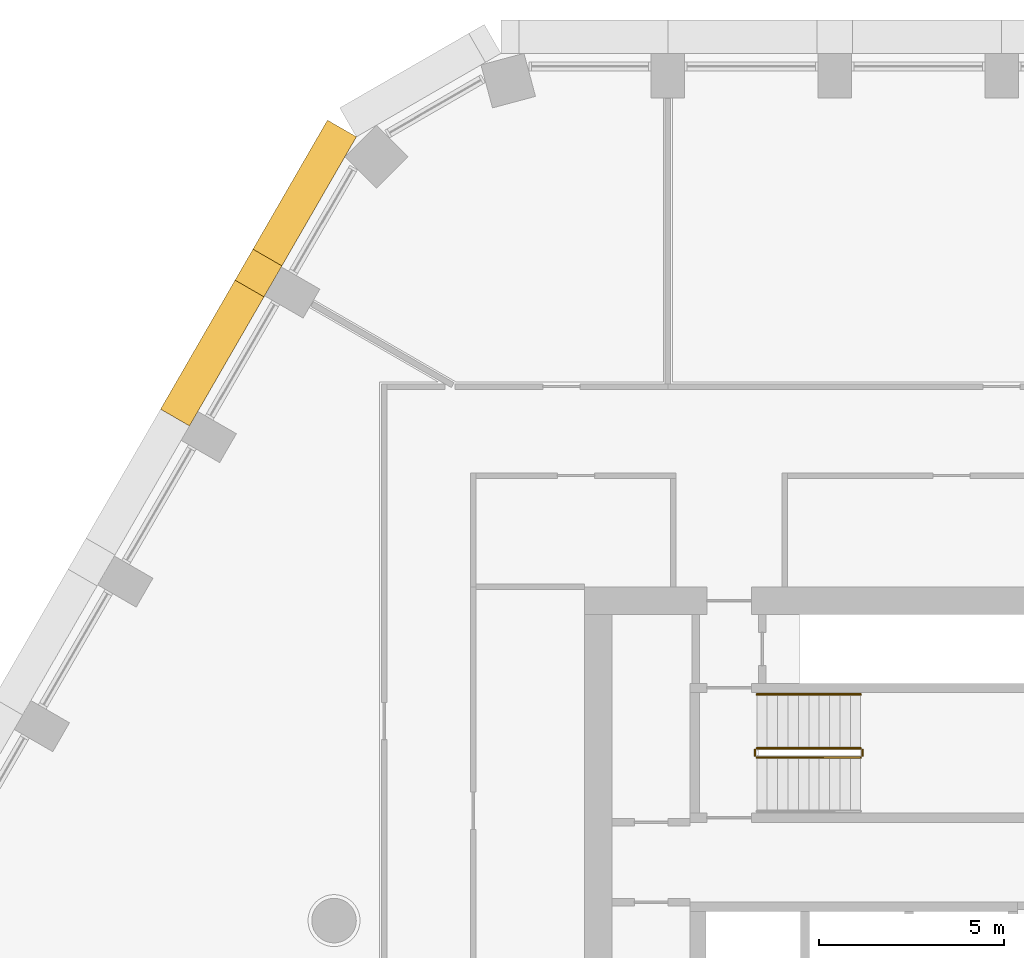
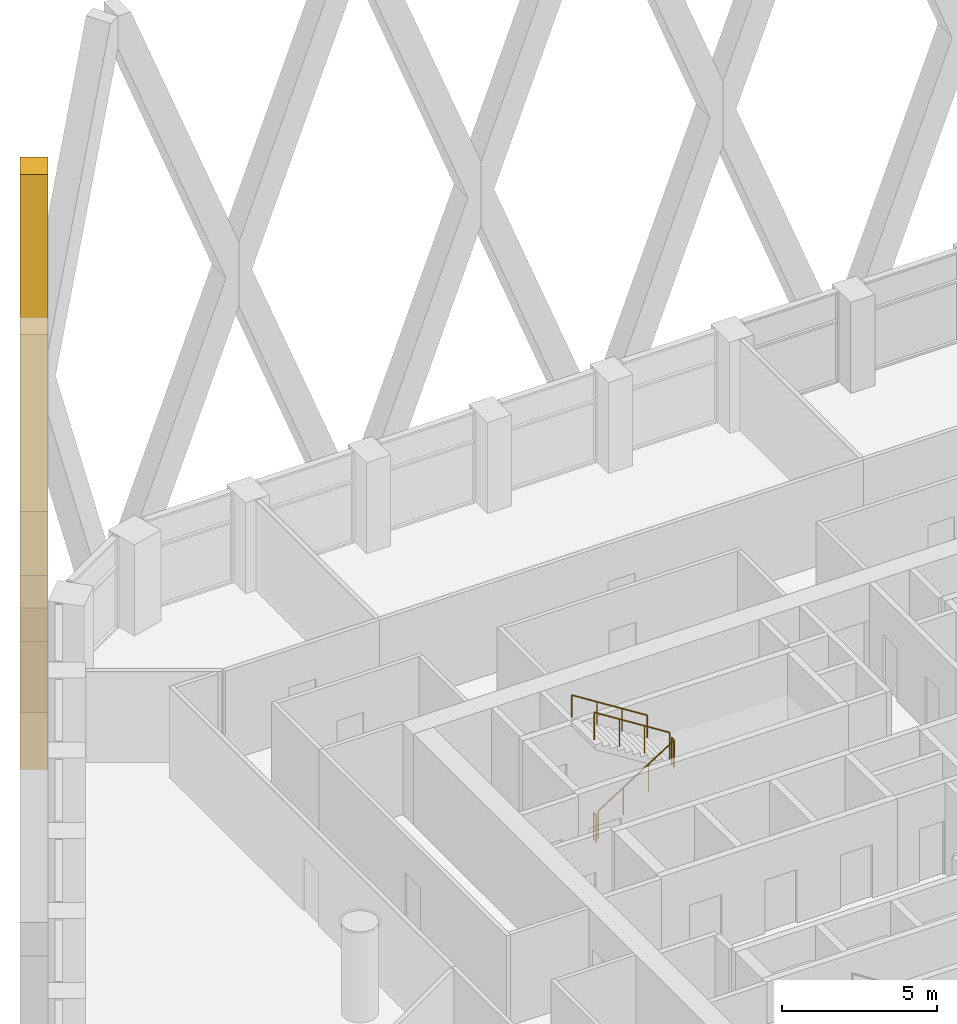
# One storey, part 20 of 24: 5 railings, 1 covering.
"""IFC4 building model written with IfcOpenShell, lengths in metres."""

from ifc_helpers import new_model, si_unit, direction, frame, origin, origin_2d, place, context, subcontext, project, spatial, polyline, circle, outline, extrude, material, type_object, element, save


model = new_model("IFC4")

# Units and contexts
model_context = context("Model", 3, precision=1e-05, world=origin(), true_north=direction((0.0, 1.0)))
body_context = subcontext(model_context, "Body", "Model", "MODEL_VIEW")
ifc_project = project(units=[si_unit("LENGTHUNIT", "METRE"), si_unit("AREAUNIT", "SQUARE_METRE"), si_unit("VOLUMEUNIT", "CUBIC_METRE"), si_unit("PLANEANGLEUNIT", "RADIAN"), si_unit("MASSUNIT", "GRAM", prefix="KILO")], contexts=[model_context])

# Site, building, storey
site_placement = place(None, origin())
site = spatial("IfcSite", under=ifc_project, at=site_placement, CompositionType="ELEMENT")
building_placement = place(site_placement, origin())
building = spatial("IfcBuilding", under=site, at=building_placement, Name="Dhurran Vertical Campus", CompositionType="ELEMENT")
storey_placement = place(building_placement, frame((0.0, 0.0, 132.60009765625)))
storey = spatial("IfcBuildingStorey", under=building, at=storey_placement, Name="L32", CompositionType="ELEMENT", Elevation=132.60009765625)

# Covering
ifc_material_1 = material(Name="Precast concrete C50/60", Category="concrete")
covering_type = type_object("IfcCoveringType", Name="Folded precast fin lattice diamond", PredefinedType="USERDEFINED", material=ifc_material_1)
covering_placement = place(storey_placement, frame((-21.897216796875, 25.6328125, 0.0), z_axis=(-0.866013897511, 0.50001992892, 0.0), x_axis=(-0.50001992892, -0.866013897511, 0.0)))
element("IfcCovering", 1, at=covering_placement, inside=storey, type_object=covering_type, Name="FN1 L32.021", ObjectType="FIN", PredefinedType="USERDEFINED", context=body_context, shape_type="SweptSolid", body=[
    extrude(outline(polyline([(9.0, 12.95361328125), (9.0, 10.4462890625), (4.982177734375, 0.0), (4.017822265625, 0.0), (0.0, 10.4462890625), (0.0, 12.95361328125), (4.017822265625, 23.39990234375), (4.982177734375, 23.39990234375), (9.0, 12.95361328125)]), holes=[polyline([(8.517822265625, 11.699951171875), (4.5, 22.146484375), (0.482177734375, 11.699951171875), (4.5, 1.253662109375), (8.517822265625, 11.699951171875)])]), origin(), (0.0, 0.0, 1.0), 0.89990234375),
])

# Railings
ifc_material_2 = material(Name="Stainless steel balustrade", Category="steel")
railing_type_1 = type_object("IfcRailingType", Name="co-RL-GUARD-1100", PredefinedType="GUARDRAIL", material=ifc_material_2)
railing_1_placement = place(storey_placement, frame((-11.10009765625, 8.89990234375, 0.17724609375)))
element("IfcRailing", 2, at=railing_1_placement, inside=storey, type_object=railing_type_1, Name="L32 ST1 stair guard 1", PredefinedType="GUARDRAIL", context=body_context, shape_type="SweptSolid", body=[
    extrude(circle(Radius=0.02392578125, at=origin_2d()), frame((0.0, 0.0, 1.076171875), z_axis=(0.844908973607, 0.0, 0.534910110503), x_axis=(0.0, 1.0, 0.0)), (0.0, 0.0, 1.0), 3.31396484375),
    extrude(circle(Radius=0.02099609375, at=origin_2d()), origin(), (0.0, 0.0, 1.0), 1.052001953125),
    extrude(circle(Radius=0.02099609375, at=origin_2d()), frame((0.933349609375, 0.0, 0.5908203125)), (0.0, 0.0, 1.0), 1.052001953125),
    extrude(circle(Radius=0.02099609375, at=origin_2d()), frame((1.86669921875, 0.0, 1.181884765625)), (0.0, 0.0, 1.0), 1.052001953125),
    extrude(circle(Radius=0.02099609375, at=origin_2d()), frame((2.800048828125, 0.0, 1.772705078125)), (0.0, 0.0, 1.0), 1.052001953125),
])
railing_2_placement = place(storey_placement, frame((-8.25, 8.949951171875, 1.949951171875)))
element("IfcRailing", 3, at=railing_2_placement, inside=storey, type_object=railing_type_1, Name="L32 ST1 stair guard 2", PredefinedType="GUARDRAIL", context=body_context, shape_type="SweptSolid", body=[
    extrude(circle(Radius=0.02392578125, at=origin_2d()), frame((0.0, 0.0, 1.076171875), z_axis=(0.0, 1.0, 0.0), x_axis=(-1.0, 0.0, 0.0)), (0.0, 0.0, 1.0), 0.150146484375),
    extrude(circle(Radius=0.02099609375, at=origin_2d()), origin(), (0.0, 0.0, 1.0), 1.052001953125),
    extrude(circle(Radius=0.02099609375, at=origin_2d()), frame((0.0, 0.150146484375, 0.0)), (0.0, 0.0, 1.0), 1.052001953125),
])
railing_3_placement = place(storey_placement, frame((-8.300048828125, 9.14990234375, 2.127197265625)))
element("IfcRailing", 4, at=railing_3_placement, inside=storey, type_object=railing_type_1, Name="L32 ST1 stair guard 3", PredefinedType="GUARDRAIL", context=body_context, shape_type="SweptSolid", body=[
    extrude(circle(Radius=0.02392578125, at=origin_2d()), frame((0.0, 0.0, 1.076171875), z_axis=(-0.844908973607, 0.0, 0.534910110503), x_axis=(0.0, -1.0, 0.0)), (0.0, 0.0, 1.0), 3.31396484375),
    extrude(circle(Radius=0.02099609375, at=origin_2d()), origin(), (0.0, 0.0, 1.0), 1.052001953125),
    extrude(circle(Radius=0.02099609375, at=origin_2d()), frame((-0.933349609375, 0.0, 0.5908203125)), (0.0, 0.0, 1.0), 1.052001953125),
    extrude(circle(Radius=0.02099609375, at=origin_2d()), frame((-1.86669921875, 0.0, 1.181884765625)), (0.0, 0.0, 1.0), 1.052001953125),
    extrude(circle(Radius=0.02099609375, at=origin_2d()), frame((-2.800048828125, 0.0, 1.772705078125)), (0.0, 0.0, 1.0), 1.052001953125),
])
railing_4_placement = place(storey_placement, frame((-11.14990234375, 8.949951171875, 0.0)))
element("IfcRailing", 5, at=railing_4_placement, inside=storey, type_object=railing_type_1, Name="L32 ST1 stair guard 4", PredefinedType="GUARDRAIL", context=body_context, shape_type="SweptSolid", body=[
    extrude(circle(Radius=0.02392578125, at=origin_2d()), frame((0.0, 0.0, 1.076171875), z_axis=(0.0, 1.0, 0.0), x_axis=(-1.0, 0.0, 0.0)), (0.0, 0.0, 1.0), 0.150146484375),
    extrude(circle(Radius=0.02099609375, at=origin_2d()), origin(), (0.0, 0.0, 1.0), 1.052001953125),
    extrude(circle(Radius=0.02099609375, at=origin_2d()), frame((0.0, 0.150146484375, 0.0)), (0.0, 0.0, 1.0), 1.052001953125),
])
ifc_material_3 = material(Name="Stainless steel handrail", Category="steel")
railing_type_2 = type_object("IfcRailingType", Name="co-RL-HANDRAIL-900", PredefinedType="HANDRAIL", material=ifc_material_3)
railing_5_placement = place(storey_placement, frame((-8.300048828125, 10.60009765625, 2.127197265625)))
element("IfcRailing", 6, at=railing_5_placement, inside=storey, type_object=railing_type_2, Name="L32 ST1 stair handrail 2", PredefinedType="HANDRAIL", context=body_context, shape_type="SweptSolid", body=[
    extrude(circle(Radius=0.02392578125, at=origin_2d()), frame((0.0, 0.0, 0.8759765625), z_axis=(-0.844908973607, 0.0, 0.534910110503), x_axis=(0.0, -1.0, 0.0)), (0.0, 0.0, 1.0), 3.31396484375),
    extrude(circle(Radius=0.02099609375, at=origin_2d()), origin(), (0.0, 0.0, 1.0), 0.851806640625),
    extrude(circle(Radius=0.02099609375, at=origin_2d()), frame((-0.933349609375, 0.0, 0.5908203125)), (0.0, 0.0, 1.0), 0.851806640625),
    extrude(circle(Radius=0.02099609375, at=origin_2d()), frame((-1.86669921875, 0.0, 1.181884765625)), (0.0, 0.0, 1.0), 0.851806640625),
    extrude(circle(Radius=0.02099609375, at=origin_2d()), frame((-2.800048828125, 0.0, 1.772705078125)), (0.0, 0.0, 1.0), 0.851806640625),
])

save(model, "model.ifc")
